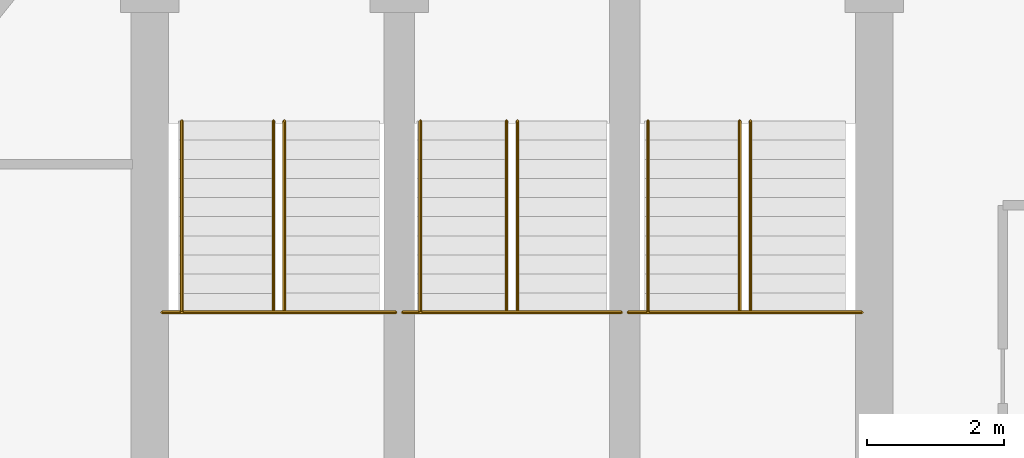
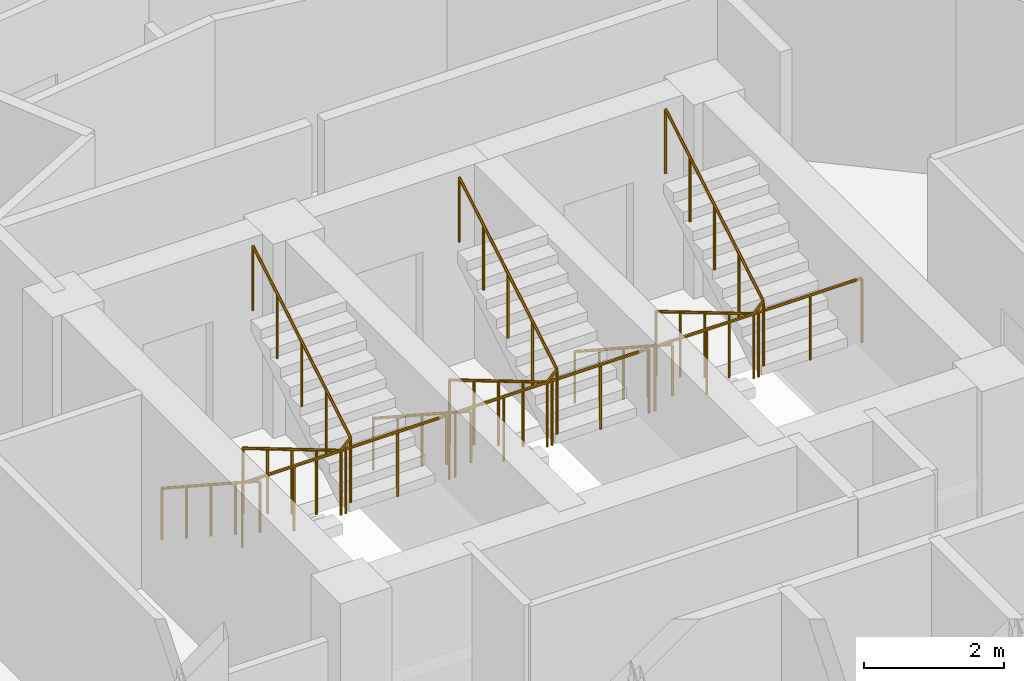
# One storey, part 27 of 27: 9 railings.
"""IFC4 building model written with IfcOpenShell, lengths in metres."""

from ifc_helpers import new_model, si_unit, direction, frame, origin, place, context, subcontext, project, spatial, polyline, outline, extrude, material, type_object, element, save


model = new_model("IFC4")

# Units and contexts
model_context = context("Model", 3, precision=1e-05, world=origin(), true_north=direction((0.0, 1.0)))
body_context = subcontext(model_context, "Body", "Model", "MODEL_VIEW")
ifc_project = project(units=[si_unit("LENGTHUNIT", "METRE"), si_unit("AREAUNIT", "SQUARE_METRE"), si_unit("VOLUMEUNIT", "CUBIC_METRE"), si_unit("PLANEANGLEUNIT", "RADIAN"), si_unit("MASSUNIT", "GRAM", prefix="KILO")], contexts=[model_context])

# Site, building, storey
site_placement = place(None, origin())
site = spatial("IfcSite", under=ifc_project, at=site_placement, CompositionType="ELEMENT")
building_placement = place(site_placement, origin())
building = spatial("IfcBuilding", under=site, at=building_placement, Name="Nuhasar Tower", CompositionType="ELEMENT")
storey_placement = place(building_placement, frame((0.0, 0.0, 251.949951171875)))
storey = spatial("IfcBuildingStorey", under=building, at=storey_placement, Name="L62", CompositionType="ELEMENT", Elevation=251.949951171875)

# Railings
ifc_material_1 = material(Name="Steel S355", Category="steel")
railing_type_1 = type_object("IfcRailingType", Name="RLG-STAIR-GUARD-1150", PredefinedType="GUARDRAIL", material=ifc_material_1)
railing_1_placement = place(storey_placement, frame((33.8798828125, 32.485107421875, 1.824951171875)))
element("IfcRailing", 1, at=railing_1_placement, inside=storey, type_object=railing_type_1, Name="L62 Stair ST-01 Guardrail LND", PredefinedType="GUARDRAIL", context=body_context, shape_type="SweptSolid", body=[
    extrude(outline(polyline([(0.024169921875, 0.0), (0.01708984375, 0.01708984375), (0.0, 0.024169921875), (-0.01708984375, 0.01708984375), (-0.024169921875, 0.0), (-0.01708984375, -0.01708984375), (0.0, -0.024169921875), (0.01708984375, -0.01708984375), (0.024169921875, 0.0)])), frame((0.0, 0.0, 1.1259765625), z_axis=(1.0, 0.0, 0.0), x_axis=(0.0, 1.0, 0.0)), (0.0, 0.0, 1.0), 3.420166015625),
    extrude(outline(polyline([(0.02099609375, 0.0), (0.014892578125, 0.014892578125), (0.0, 0.02099609375), (-0.014892578125, 0.014892578125), (-0.02099609375, 0.0), (-0.014892578125, -0.014892578125), (0.0, -0.02099609375), (0.014892578125, -0.014892578125), (0.02099609375, 0.0)])), origin(), (0.0, 0.0, 1.0), 1.101806640625),
    extrude(outline(polyline([(0.02099609375, 0.0), (0.014892578125, 0.014892578125), (0.0, 0.02099609375), (-0.014892578125, 0.014892578125), (-0.02099609375, 0.0), (-0.014892578125, -0.014892578125), (0.0, -0.02099609375), (0.014892578125, -0.014892578125), (0.02099609375, 0.0)])), frame((0.85498046875, 0.0, 0.0)), (0.0, 0.0, 1.0), 1.101806640625),
    extrude(outline(polyline([(0.02099609375, 0.0), (0.014892578125, 0.014892578125), (0.0, 0.02099609375), (-0.014892578125, 0.014892578125), (-0.02099609375, 0.0), (-0.014892578125, -0.014892578125), (0.0, -0.02099609375), (0.014892578125, -0.014892578125), (0.02099609375, 0.0)])), frame((1.7099609375, 0.0, 0.0)), (0.0, 0.0, 1.0), 1.101806640625),
    extrude(outline(polyline([(0.02099609375, 0.0), (0.014892578125, 0.014892578125), (0.0, 0.02099609375), (-0.014892578125, 0.014892578125), (-0.02099609375, 0.0), (-0.014892578125, -0.014892578125), (0.0, -0.02099609375), (0.014892578125, -0.014892578125), (0.02099609375, 0.0)])), frame((2.565185546875, 0.0, 0.0)), (0.0, 0.0, 1.0), 1.101806640625),
    extrude(outline(polyline([(0.02099609375, 0.0), (0.014892578125, 0.014892578125), (0.0, 0.02099609375), (-0.014892578125, 0.014892578125), (-0.02099609375, 0.0), (-0.014892578125, -0.014892578125), (0.0, -0.02099609375), (0.014892578125, -0.014892578125), (0.02099609375, 0.0)])), frame((3.420166015625, 0.0, 0.0)), (0.0, 0.0, 1.0), 1.101806640625),
])
railing_2_placement = place(storey_placement, frame((35.510009765625, 35.284912109375, 0.166015625)))
element("IfcRailing", 2, at=railing_2_placement, inside=storey, type_object=railing_type_1, Name="L62 Stair ST-01 Guardrail SLT", PredefinedType="GUARDRAIL", context=body_context, shape_type="SweptSolid", body=[
    extrude(outline(polyline([(0.024169921875, 0.0), (0.01708984375, 0.01708984375), (0.0, 0.024169921875), (-0.01708984375, 0.01708984375), (-0.024169921875, 0.0), (-0.01708984375, -0.01708984375), (0.0, -0.024169921875), (0.01708984375, -0.01708984375), (0.024169921875, 0.0)])), frame((0.0, 0.0, 1.1259765625), z_axis=(0.0, -0.860319559791, 0.509755093197), x_axis=(1.0, 0.0, 0.0)), (0.0, 0.0, 1.0), 3.25439453125),
    extrude(outline(polyline([(0.024169921875, 0.0), (0.01708984375, 0.01708984375), (0.0, 0.024169921875), (-0.01708984375, 0.01708984375), (-0.024169921875, 0.0), (-0.01708984375, -0.01708984375), (0.0, -0.024169921875), (0.01708984375, -0.01708984375), (0.024169921875, 0.0)])), frame((0.0, -2.7998046875, 2.78466796875), z_axis=(0.693743449033, 0.0, 0.72022220663), x_axis=(0.0, 1.0, 0.0)), (0.0, 0.0, 1.0), 0.23046875),
    extrude(outline(polyline([(0.024169921875, 0.0), (0.01708984375, 0.01708984375), (0.0, 0.024169921875), (-0.01708984375, 0.01708984375), (-0.024169921875, 0.0), (-0.01708984375, -0.01708984375), (0.0, -0.024169921875), (0.01708984375, -0.01708984375), (0.024169921875, 0.0)])), frame((0.159912109375, -2.7998046875, 2.95068359375), z_axis=(0.0, 0.860286659441, 0.509810615413), x_axis=(-1.0, 0.0, 0.0)), (0.0, 0.0, 1.0), 3.25439453125),
    extrude(outline(polyline([(0.02099609375, 0.0), (0.014892578125, 0.014892578125), (0.0, 0.02099609375), (-0.014892578125, 0.014892578125), (-0.02099609375, 0.0), (-0.014892578125, -0.014892578125), (0.0, -0.02099609375), (0.014892578125, -0.014892578125), (0.02099609375, 0.0)])), origin(), (0.0, 0.0, 1.0), 1.101806640625),
    extrude(outline(polyline([(0.02099609375, 0.0), (0.014892578125, 0.014892578125), (0.0, 0.02099609375), (-0.014892578125, 0.014892578125), (-0.02099609375, 0.0), (-0.014892578125, -0.014892578125), (0.0, -0.02099609375), (0.014892578125, -0.014892578125), (0.02099609375, 0.0)])), frame((0.0, -0.699951171875, 0.414794921875)), (0.0, 0.0, 1.0), 1.101806640625),
    extrude(outline(polyline([(0.02099609375, 0.0), (0.014892578125, 0.014892578125), (0.0, 0.02099609375), (-0.014892578125, 0.014892578125), (-0.02099609375, 0.0), (-0.014892578125, -0.014892578125), (0.0, -0.02099609375), (0.014892578125, -0.014892578125), (0.02099609375, 0.0)])), frame((0.0, -1.39990234375, 0.82958984375)), (0.0, 0.0, 1.0), 1.101806640625),
    extrude(outline(polyline([(0.02099609375, 0.0), (0.014892578125, 0.014892578125), (0.0, 0.02099609375), (-0.014892578125, 0.014892578125), (-0.02099609375, 0.0), (-0.014892578125, -0.014892578125), (0.0, -0.02099609375), (0.014892578125, -0.014892578125), (0.02099609375, 0.0)])), frame((0.0, -2.099853515625, 1.244140625)), (0.0, 0.0, 1.0), 1.101806640625),
    extrude(outline(polyline([(0.02099609375, 0.0), (0.014892578125, 0.014892578125), (0.0, 0.02099609375), (-0.014892578125, 0.014892578125), (-0.02099609375, 0.0), (-0.014892578125, -0.014892578125), (0.0, -0.02099609375), (0.014892578125, -0.014892578125), (0.02099609375, 0.0)])), frame((0.0, -2.7998046875, 1.658935546875)), (0.0, 0.0, 1.0), 1.101806640625),
    extrude(outline(polyline([(0.02099609375, 0.0), (0.014892578125, 0.014892578125), (0.0, 0.02099609375), (-0.014892578125, 0.014892578125), (-0.02099609375, 0.0), (-0.014892578125, -0.014892578125), (0.0, -0.02099609375), (0.014892578125, -0.014892578125), (0.02099609375, 0.0)])), frame((0.159912109375, -2.7998046875, 1.824951171875)), (0.0, 0.0, 1.0), 1.101806640625),
    extrude(outline(polyline([(0.02099609375, 0.0), (0.014892578125, 0.014892578125), (0.0, 0.02099609375), (-0.014892578125, 0.014892578125), (-0.02099609375, 0.0), (-0.014892578125, -0.014892578125), (0.0, -0.02099609375), (0.014892578125, -0.014892578125), (0.02099609375, 0.0)])), frame((0.159912109375, -2.099853515625, 2.23974609375)), (0.0, 0.0, 1.0), 1.101806640625),
    extrude(outline(polyline([(0.02099609375, 0.0), (0.014892578125, 0.014892578125), (0.0, 0.02099609375), (-0.014892578125, 0.014892578125), (-0.02099609375, 0.0), (-0.014892578125, -0.014892578125), (0.0, -0.02099609375), (0.014892578125, -0.014892578125), (0.02099609375, 0.0)])), frame((0.159912109375, -1.39990234375, 2.654541015625)), (0.0, 0.0, 1.0), 1.101806640625),
    extrude(outline(polyline([(0.02099609375, 0.0), (0.014892578125, 0.014892578125), (0.0, 0.02099609375), (-0.014892578125, 0.014892578125), (-0.02099609375, 0.0), (-0.014892578125, -0.014892578125), (0.0, -0.02099609375), (0.014892578125, -0.014892578125), (0.02099609375, 0.0)])), frame((0.159912109375, -0.699951171875, 3.0693359375)), (0.0, 0.0, 1.0), 1.101806640625),
    extrude(outline(polyline([(0.02099609375, 0.0), (0.014892578125, 0.014892578125), (0.0, 0.02099609375), (-0.014892578125, 0.014892578125), (-0.02099609375, 0.0), (-0.014892578125, -0.014892578125), (0.0, -0.02099609375), (0.014892578125, -0.014892578125), (0.02099609375, 0.0)])), frame((0.159912109375, 0.0, 3.484130859375)), (0.0, 0.0, 1.0), 1.101806640625),
])
railing_3_placement = place(storey_placement, frame((37.39990234375, 32.485107421875, 1.824951171875)))
element("IfcRailing", 3, at=railing_3_placement, inside=storey, type_object=railing_type_1, Name="L62 Stair ST-03 Guardrail LND", PredefinedType="GUARDRAIL", context=body_context, shape_type="SweptSolid", body=[
    extrude(outline(polyline([(0.024169921875, 0.0), (0.01708984375, 0.01708984375), (0.0, 0.024169921875), (-0.01708984375, 0.01708984375), (-0.024169921875, 0.0), (-0.01708984375, -0.01708984375), (0.0, -0.024169921875), (0.01708984375, -0.01708984375), (0.024169921875, 0.0)])), frame((0.0, 0.0, 1.1259765625), z_axis=(1.0, 0.0, 0.0), x_axis=(0.0, 1.0, 0.0)), (0.0, 0.0, 1.0), 3.2001953125),
    extrude(outline(polyline([(0.02099609375, 0.0), (0.014892578125, 0.014892578125), (0.0, 0.02099609375), (-0.014892578125, 0.014892578125), (-0.02099609375, 0.0), (-0.014892578125, -0.014892578125), (0.0, -0.02099609375), (0.014892578125, -0.014892578125), (0.02099609375, 0.0)])), origin(), (0.0, 0.0, 1.0), 1.101806640625),
    extrude(outline(polyline([(0.02099609375, 0.0), (0.014892578125, 0.014892578125), (0.0, 0.02099609375), (-0.014892578125, 0.014892578125), (-0.02099609375, 0.0), (-0.014892578125, -0.014892578125), (0.0, -0.02099609375), (0.014892578125, -0.014892578125), (0.02099609375, 0.0)])), frame((0.800048828125, 0.0, 0.0)), (0.0, 0.0, 1.0), 1.101806640625),
    extrude(outline(polyline([(0.02099609375, 0.0), (0.014892578125, 0.014892578125), (0.0, 0.02099609375), (-0.014892578125, 0.014892578125), (-0.02099609375, 0.0), (-0.014892578125, -0.014892578125), (0.0, -0.02099609375), (0.014892578125, -0.014892578125), (0.02099609375, 0.0)])), frame((1.60009765625, 0.0, 0.0)), (0.0, 0.0, 1.0), 1.101806640625),
    extrude(outline(polyline([(0.02099609375, 0.0), (0.014892578125, 0.014892578125), (0.0, 0.02099609375), (-0.014892578125, 0.014892578125), (-0.02099609375, 0.0), (-0.014892578125, -0.014892578125), (0.0, -0.02099609375), (0.014892578125, -0.014892578125), (0.02099609375, 0.0)])), frame((2.400146484375, 0.0, 0.0)), (0.0, 0.0, 1.0), 1.101806640625),
    extrude(outline(polyline([(0.02099609375, 0.0), (0.014892578125, 0.014892578125), (0.0, 0.02099609375), (-0.014892578125, 0.014892578125), (-0.02099609375, 0.0), (-0.014892578125, -0.014892578125), (0.0, -0.02099609375), (0.014892578125, -0.014892578125), (0.02099609375, 0.0)])), frame((3.2001953125, 0.0, 0.0)), (0.0, 0.0, 1.0), 1.101806640625),
])
railing_4_placement = place(storey_placement, frame((38.919921875, 35.284912109375, 0.166015625)))
element("IfcRailing", 4, at=railing_4_placement, inside=storey, type_object=railing_type_1, Name="L62 Stair ST-03 Guardrail SLT", PredefinedType="GUARDRAIL", context=body_context, shape_type="SweptSolid", body=[
    extrude(outline(polyline([(0.024169921875, 0.0), (0.01708984375, 0.01708984375), (0.0, 0.024169921875), (-0.01708984375, 0.01708984375), (-0.024169921875, 0.0), (-0.01708984375, -0.01708984375), (0.0, -0.024169921875), (0.01708984375, -0.01708984375), (0.024169921875, 0.0)])), frame((0.0, 0.0, 1.1259765625), z_axis=(0.0, -0.860319559791, 0.509755093197), x_axis=(1.0, 0.0, 0.0)), (0.0, 0.0, 1.0), 3.25439453125),
    extrude(outline(polyline([(0.024169921875, 0.0), (0.01708984375, 0.01708984375), (0.0, 0.024169921875), (-0.01708984375, 0.01708984375), (-0.024169921875, 0.0), (-0.01708984375, -0.01708984375), (0.0, -0.024169921875), (0.01708984375, -0.01708984375), (0.024169921875, 0.0)])), frame((0.0, -2.7998046875, 2.78466796875), z_axis=(0.694292246407, 0.0, 0.719693182251), x_axis=(0.0, 1.0, 0.0)), (0.0, 0.0, 1.0), 0.230712890625),
    extrude(outline(polyline([(0.024169921875, 0.0), (0.01708984375, 0.01708984375), (0.0, 0.024169921875), (-0.01708984375, 0.01708984375), (-0.024169921875, 0.0), (-0.01708984375, -0.01708984375), (0.0, -0.024169921875), (0.01708984375, -0.01708984375), (0.024169921875, 0.0)])), frame((0.16015625, -2.7998046875, 2.95068359375), z_axis=(0.0, 0.860286659441, 0.509810615413), x_axis=(-1.0, 0.0, 0.0)), (0.0, 0.0, 1.0), 3.25439453125),
    extrude(outline(polyline([(0.02099609375, 0.0), (0.014892578125, 0.014892578125), (0.0, 0.02099609375), (-0.014892578125, 0.014892578125), (-0.02099609375, 0.0), (-0.014892578125, -0.014892578125), (0.0, -0.02099609375), (0.014892578125, -0.014892578125), (0.02099609375, 0.0)])), origin(), (0.0, 0.0, 1.0), 1.101806640625),
    extrude(outline(polyline([(0.02099609375, 0.0), (0.014892578125, 0.014892578125), (0.0, 0.02099609375), (-0.014892578125, 0.014892578125), (-0.02099609375, 0.0), (-0.014892578125, -0.014892578125), (0.0, -0.02099609375), (0.014892578125, -0.014892578125), (0.02099609375, 0.0)])), frame((0.0, -0.699951171875, 0.414794921875)), (0.0, 0.0, 1.0), 1.101806640625),
    extrude(outline(polyline([(0.02099609375, 0.0), (0.014892578125, 0.014892578125), (0.0, 0.02099609375), (-0.014892578125, 0.014892578125), (-0.02099609375, 0.0), (-0.014892578125, -0.014892578125), (0.0, -0.02099609375), (0.014892578125, -0.014892578125), (0.02099609375, 0.0)])), frame((0.0, -1.39990234375, 0.82958984375)), (0.0, 0.0, 1.0), 1.101806640625),
    extrude(outline(polyline([(0.02099609375, 0.0), (0.014892578125, 0.014892578125), (0.0, 0.02099609375), (-0.014892578125, 0.014892578125), (-0.02099609375, 0.0), (-0.014892578125, -0.014892578125), (0.0, -0.02099609375), (0.014892578125, -0.014892578125), (0.02099609375, 0.0)])), frame((0.0, -2.099853515625, 1.244140625)), (0.0, 0.0, 1.0), 1.101806640625),
    extrude(outline(polyline([(0.02099609375, 0.0), (0.014892578125, 0.014892578125), (0.0, 0.02099609375), (-0.014892578125, 0.014892578125), (-0.02099609375, 0.0), (-0.014892578125, -0.014892578125), (0.0, -0.02099609375), (0.014892578125, -0.014892578125), (0.02099609375, 0.0)])), frame((0.0, -2.7998046875, 1.658935546875)), (0.0, 0.0, 1.0), 1.101806640625),
    extrude(outline(polyline([(0.02099609375, 0.0), (0.014892578125, 0.014892578125), (0.0, 0.02099609375), (-0.014892578125, 0.014892578125), (-0.02099609375, 0.0), (-0.014892578125, -0.014892578125), (0.0, -0.02099609375), (0.014892578125, -0.014892578125), (0.02099609375, 0.0)])), frame((0.16015625, -2.7998046875, 1.824951171875)), (0.0, 0.0, 1.0), 1.101806640625),
    extrude(outline(polyline([(0.02099609375, 0.0), (0.014892578125, 0.014892578125), (0.0, 0.02099609375), (-0.014892578125, 0.014892578125), (-0.02099609375, 0.0), (-0.014892578125, -0.014892578125), (0.0, -0.02099609375), (0.014892578125, -0.014892578125), (0.02099609375, 0.0)])), frame((0.16015625, -2.099853515625, 2.23974609375)), (0.0, 0.0, 1.0), 1.101806640625),
    extrude(outline(polyline([(0.02099609375, 0.0), (0.014892578125, 0.014892578125), (0.0, 0.02099609375), (-0.014892578125, 0.014892578125), (-0.02099609375, 0.0), (-0.014892578125, -0.014892578125), (0.0, -0.02099609375), (0.014892578125, -0.014892578125), (0.02099609375, 0.0)])), frame((0.16015625, -1.39990234375, 2.654541015625)), (0.0, 0.0, 1.0), 1.101806640625),
    extrude(outline(polyline([(0.02099609375, 0.0), (0.014892578125, 0.014892578125), (0.0, 0.02099609375), (-0.014892578125, 0.014892578125), (-0.02099609375, 0.0), (-0.014892578125, -0.014892578125), (0.0, -0.02099609375), (0.014892578125, -0.014892578125), (0.02099609375, 0.0)])), frame((0.16015625, -0.699951171875, 3.0693359375)), (0.0, 0.0, 1.0), 1.101806640625),
    extrude(outline(polyline([(0.02099609375, 0.0), (0.014892578125, 0.014892578125), (0.0, 0.02099609375), (-0.014892578125, 0.014892578125), (-0.02099609375, 0.0), (-0.014892578125, -0.014892578125), (0.0, -0.02099609375), (0.014892578125, -0.014892578125), (0.02099609375, 0.0)])), frame((0.16015625, 0.0, 3.484130859375)), (0.0, 0.0, 1.0), 1.101806640625),
])
railing_5_placement = place(storey_placement, frame((40.699951171875, 32.485107421875, 1.824951171875)))
element("IfcRailing", 5, at=railing_5_placement, inside=storey, type_object=railing_type_1, Name="L62 Stair ST-02 Guardrail LND", PredefinedType="GUARDRAIL", context=body_context, shape_type="SweptSolid", body=[
    extrude(outline(polyline([(0.024169921875, 0.0), (0.01708984375, 0.01708984375), (0.0, 0.024169921875), (-0.01708984375, 0.01708984375), (-0.024169921875, 0.0), (-0.01708984375, -0.01708984375), (0.0, -0.024169921875), (0.01708984375, -0.01708984375), (0.024169921875, 0.0)])), frame((0.0, 0.0, 1.1259765625), z_axis=(1.0, 0.0, 0.0), x_axis=(0.0, 1.0, 0.0)), (0.0, 0.0, 1.0), 3.420166015625),
    extrude(outline(polyline([(0.02099609375, 0.0), (0.014892578125, 0.014892578125), (0.0, 0.02099609375), (-0.014892578125, 0.014892578125), (-0.02099609375, 0.0), (-0.014892578125, -0.014892578125), (0.0, -0.02099609375), (0.014892578125, -0.014892578125), (0.02099609375, 0.0)])), origin(), (0.0, 0.0, 1.0), 1.101806640625),
    extrude(outline(polyline([(0.02099609375, 0.0), (0.014892578125, 0.014892578125), (0.0, 0.02099609375), (-0.014892578125, 0.014892578125), (-0.02099609375, 0.0), (-0.014892578125, -0.014892578125), (0.0, -0.02099609375), (0.014892578125, -0.014892578125), (0.02099609375, 0.0)])), frame((0.85498046875, 0.0, 0.0)), (0.0, 0.0, 1.0), 1.101806640625),
    extrude(outline(polyline([(0.02099609375, 0.0), (0.014892578125, 0.014892578125), (0.0, 0.02099609375), (-0.014892578125, 0.014892578125), (-0.02099609375, 0.0), (-0.014892578125, -0.014892578125), (0.0, -0.02099609375), (0.014892578125, -0.014892578125), (0.02099609375, 0.0)])), frame((1.7099609375, 0.0, 0.0)), (0.0, 0.0, 1.0), 1.101806640625),
    extrude(outline(polyline([(0.02099609375, 0.0), (0.014892578125, 0.014892578125), (0.0, 0.02099609375), (-0.014892578125, 0.014892578125), (-0.02099609375, 0.0), (-0.014892578125, -0.014892578125), (0.0, -0.02099609375), (0.014892578125, -0.014892578125), (0.02099609375, 0.0)])), frame((2.565185546875, 0.0, 0.0)), (0.0, 0.0, 1.0), 1.101806640625),
    extrude(outline(polyline([(0.02099609375, 0.0), (0.014892578125, 0.014892578125), (0.0, 0.02099609375), (-0.014892578125, 0.014892578125), (-0.02099609375, 0.0), (-0.014892578125, -0.014892578125), (0.0, -0.02099609375), (0.014892578125, -0.014892578125), (0.02099609375, 0.0)])), frame((3.420166015625, 0.0, 0.0)), (0.0, 0.0, 1.0), 1.101806640625),
])
railing_6_placement = place(storey_placement, frame((42.330078125, 35.284912109375, 0.166015625)))
element("IfcRailing", 6, at=railing_6_placement, inside=storey, type_object=railing_type_1, Name="L62 Stair ST-02 Guardrail SLT", PredefinedType="GUARDRAIL", context=body_context, shape_type="SweptSolid", body=[
    extrude(outline(polyline([(0.024169921875, 0.0), (0.01708984375, 0.01708984375), (0.0, 0.024169921875), (-0.01708984375, 0.01708984375), (-0.024169921875, 0.0), (-0.01708984375, -0.01708984375), (0.0, -0.024169921875), (0.01708984375, -0.01708984375), (0.024169921875, 0.0)])), frame((0.0, 0.0, 1.1259765625), z_axis=(0.0, -0.860319559791, 0.509755093197), x_axis=(1.0, 0.0, 0.0)), (0.0, 0.0, 1.0), 3.25439453125),
    extrude(outline(polyline([(0.024169921875, 0.0), (0.01708984375, 0.01708984375), (0.0, 0.024169921875), (-0.01708984375, 0.01708984375), (-0.024169921875, 0.0), (-0.01708984375, -0.01708984375), (0.0, -0.024169921875), (0.01708984375, -0.01708984375), (0.024169921875, 0.0)])), frame((0.0, -2.7998046875, 2.78466796875), z_axis=(0.693743449033, 0.0, 0.72022220663), x_axis=(0.0, 1.0, 0.0)), (0.0, 0.0, 1.0), 0.23046875),
    extrude(outline(polyline([(0.024169921875, 0.0), (0.01708984375, 0.01708984375), (0.0, 0.024169921875), (-0.01708984375, 0.01708984375), (-0.024169921875, 0.0), (-0.01708984375, -0.01708984375), (0.0, -0.024169921875), (0.01708984375, -0.01708984375), (0.024169921875, 0.0)])), frame((0.159912109375, -2.7998046875, 2.95068359375), z_axis=(0.0, 0.860286659441, 0.509810615413), x_axis=(-1.0, 0.0, 0.0)), (0.0, 0.0, 1.0), 3.25439453125),
    extrude(outline(polyline([(0.02099609375, 0.0), (0.014892578125, 0.014892578125), (0.0, 0.02099609375), (-0.014892578125, 0.014892578125), (-0.02099609375, 0.0), (-0.014892578125, -0.014892578125), (0.0, -0.02099609375), (0.014892578125, -0.014892578125), (0.02099609375, 0.0)])), origin(), (0.0, 0.0, 1.0), 1.101806640625),
    extrude(outline(polyline([(0.02099609375, 0.0), (0.014892578125, 0.014892578125), (0.0, 0.02099609375), (-0.014892578125, 0.014892578125), (-0.02099609375, 0.0), (-0.014892578125, -0.014892578125), (0.0, -0.02099609375), (0.014892578125, -0.014892578125), (0.02099609375, 0.0)])), frame((0.0, -0.699951171875, 0.414794921875)), (0.0, 0.0, 1.0), 1.101806640625),
    extrude(outline(polyline([(0.02099609375, 0.0), (0.014892578125, 0.014892578125), (0.0, 0.02099609375), (-0.014892578125, 0.014892578125), (-0.02099609375, 0.0), (-0.014892578125, -0.014892578125), (0.0, -0.02099609375), (0.014892578125, -0.014892578125), (0.02099609375, 0.0)])), frame((0.0, -1.39990234375, 0.82958984375)), (0.0, 0.0, 1.0), 1.101806640625),
    extrude(outline(polyline([(0.02099609375, 0.0), (0.014892578125, 0.014892578125), (0.0, 0.02099609375), (-0.014892578125, 0.014892578125), (-0.02099609375, 0.0), (-0.014892578125, -0.014892578125), (0.0, -0.02099609375), (0.014892578125, -0.014892578125), (0.02099609375, 0.0)])), frame((0.0, -2.099853515625, 1.244140625)), (0.0, 0.0, 1.0), 1.101806640625),
    extrude(outline(polyline([(0.02099609375, 0.0), (0.014892578125, 0.014892578125), (0.0, 0.02099609375), (-0.014892578125, 0.014892578125), (-0.02099609375, 0.0), (-0.014892578125, -0.014892578125), (0.0, -0.02099609375), (0.014892578125, -0.014892578125), (0.02099609375, 0.0)])), frame((0.0, -2.7998046875, 1.658935546875)), (0.0, 0.0, 1.0), 1.101806640625),
    extrude(outline(polyline([(0.02099609375, 0.0), (0.014892578125, 0.014892578125), (0.0, 0.02099609375), (-0.014892578125, 0.014892578125), (-0.02099609375, 0.0), (-0.014892578125, -0.014892578125), (0.0, -0.02099609375), (0.014892578125, -0.014892578125), (0.02099609375, 0.0)])), frame((0.159912109375, -2.7998046875, 1.824951171875)), (0.0, 0.0, 1.0), 1.101806640625),
    extrude(outline(polyline([(0.02099609375, 0.0), (0.014892578125, 0.014892578125), (0.0, 0.02099609375), (-0.014892578125, 0.014892578125), (-0.02099609375, 0.0), (-0.014892578125, -0.014892578125), (0.0, -0.02099609375), (0.014892578125, -0.014892578125), (0.02099609375, 0.0)])), frame((0.159912109375, -2.099853515625, 2.23974609375)), (0.0, 0.0, 1.0), 1.101806640625),
    extrude(outline(polyline([(0.02099609375, 0.0), (0.014892578125, 0.014892578125), (0.0, 0.02099609375), (-0.014892578125, 0.014892578125), (-0.02099609375, 0.0), (-0.014892578125, -0.014892578125), (0.0, -0.02099609375), (0.014892578125, -0.014892578125), (0.02099609375, 0.0)])), frame((0.159912109375, -1.39990234375, 2.654541015625)), (0.0, 0.0, 1.0), 1.101806640625),
    extrude(outline(polyline([(0.02099609375, 0.0), (0.014892578125, 0.014892578125), (0.0, 0.02099609375), (-0.014892578125, 0.014892578125), (-0.02099609375, 0.0), (-0.014892578125, -0.014892578125), (0.0, -0.02099609375), (0.014892578125, -0.014892578125), (0.02099609375, 0.0)])), frame((0.159912109375, -0.699951171875, 3.0693359375)), (0.0, 0.0, 1.0), 1.101806640625),
    extrude(outline(polyline([(0.02099609375, 0.0), (0.014892578125, 0.014892578125), (0.0, 0.02099609375), (-0.014892578125, 0.014892578125), (-0.02099609375, 0.0), (-0.014892578125, -0.014892578125), (0.0, -0.02099609375), (0.014892578125, -0.014892578125), (0.02099609375, 0.0)])), frame((0.159912109375, 0.0, 3.484130859375)), (0.0, 0.0, 1.0), 1.101806640625),
])
ifc_material_2 = material(Name="Stainless Steel 316L", Category="steel")
railing_type_2 = type_object("IfcRailingType", Name="RLG-STAIR-HAND-920", PredefinedType="HANDRAIL", material=ifc_material_2)
railing_7_placement = place(storey_placement, frame((34.169921875, 35.284912109375, 0.166015625)))
element("IfcRailing", 7, at=railing_7_placement, inside=storey, type_object=railing_type_2, Name="L62 Stair ST-01 Handrail HND1", PredefinedType="HANDRAIL", context=body_context, shape_type="SweptSolid", body=[
    extrude(outline(polyline([(0.024169921875, 0.0), (0.01708984375, 0.01708984375), (0.0, 0.024169921875), (-0.01708984375, 0.01708984375), (-0.024169921875, 0.0), (-0.01708984375, -0.01708984375), (0.0, -0.024169921875), (0.01708984375, -0.01708984375), (0.024169921875, 0.0)])), frame((0.0, 0.0, 0.89599609375), z_axis=(0.0, -0.837748630625, 0.546056070276), x_axis=(1.0, 0.0, 0.0)), (0.0, 0.0, 1.0), 3.342041015625),
    extrude(outline(polyline([(0.02099609375, 0.0), (0.014892578125, 0.014892578125), (0.0, 0.02099609375), (-0.014892578125, 0.014892578125), (-0.02099609375, 0.0), (-0.014892578125, -0.014892578125), (0.0, -0.02099609375), (0.014892578125, -0.014892578125), (0.02099609375, 0.0)])), origin(), (0.0, 0.0, 1.0), 0.871826171875),
    extrude(outline(polyline([(0.02099609375, 0.0), (0.014892578125, 0.014892578125), (0.0, 0.02099609375), (-0.014892578125, 0.014892578125), (-0.02099609375, 0.0), (-0.014892578125, -0.014892578125), (0.0, -0.02099609375), (0.014892578125, -0.014892578125), (0.02099609375, 0.0)])), frame((0.0, -0.699951171875, 0.456298828125)), (0.0, 0.0, 1.0), 0.871826171875),
    extrude(outline(polyline([(0.02099609375, 0.0), (0.014892578125, 0.014892578125), (0.0, 0.02099609375), (-0.014892578125, 0.014892578125), (-0.02099609375, 0.0), (-0.014892578125, -0.014892578125), (0.0, -0.02099609375), (0.014892578125, -0.014892578125), (0.02099609375, 0.0)])), frame((0.0, -1.39990234375, 0.91259765625)), (0.0, 0.0, 1.0), 0.871826171875),
    extrude(outline(polyline([(0.02099609375, 0.0), (0.014892578125, 0.014892578125), (0.0, 0.02099609375), (-0.014892578125, 0.014892578125), (-0.02099609375, 0.0), (-0.014892578125, -0.014892578125), (0.0, -0.02099609375), (0.014892578125, -0.014892578125), (0.02099609375, 0.0)])), frame((0.0, -2.099853515625, 1.36865234375)), (0.0, 0.0, 1.0), 0.871826171875),
    extrude(outline(polyline([(0.02099609375, 0.0), (0.014892578125, 0.014892578125), (0.0, 0.02099609375), (-0.014892578125, 0.014892578125), (-0.02099609375, 0.0), (-0.014892578125, -0.014892578125), (0.0, -0.02099609375), (0.014892578125, -0.014892578125), (0.02099609375, 0.0)])), frame((0.0, -2.7998046875, 1.824951171875)), (0.0, 0.0, 1.0), 0.871826171875),
])
railing_8_placement = place(storey_placement, frame((37.659912109375, 35.284912109375, 0.166015625)))
element("IfcRailing", 8, at=railing_8_placement, inside=storey, type_object=railing_type_2, Name="L62 Stair ST-03 Handrail HND1", PredefinedType="HANDRAIL", context=body_context, shape_type="SweptSolid", body=[
    extrude(outline(polyline([(0.024169921875, 0.0), (0.01708984375, 0.01708984375), (0.0, 0.024169921875), (-0.01708984375, 0.01708984375), (-0.024169921875, 0.0), (-0.01708984375, -0.01708984375), (0.0, -0.024169921875), (0.01708984375, -0.01708984375), (0.024169921875, 0.0)])), frame((0.0, 0.0, 0.89599609375), z_axis=(0.0, -0.837748630625, 0.546056070276), x_axis=(1.0, 0.0, 0.0)), (0.0, 0.0, 1.0), 3.342041015625),
    extrude(outline(polyline([(0.02099609375, 0.0), (0.014892578125, 0.014892578125), (0.0, 0.02099609375), (-0.014892578125, 0.014892578125), (-0.02099609375, 0.0), (-0.014892578125, -0.014892578125), (0.0, -0.02099609375), (0.014892578125, -0.014892578125), (0.02099609375, 0.0)])), origin(), (0.0, 0.0, 1.0), 0.871826171875),
    extrude(outline(polyline([(0.02099609375, 0.0), (0.014892578125, 0.014892578125), (0.0, 0.02099609375), (-0.014892578125, 0.014892578125), (-0.02099609375, 0.0), (-0.014892578125, -0.014892578125), (0.0, -0.02099609375), (0.014892578125, -0.014892578125), (0.02099609375, 0.0)])), frame((0.0, -0.699951171875, 0.456298828125)), (0.0, 0.0, 1.0), 0.871826171875),
    extrude(outline(polyline([(0.02099609375, 0.0), (0.014892578125, 0.014892578125), (0.0, 0.02099609375), (-0.014892578125, 0.014892578125), (-0.02099609375, 0.0), (-0.014892578125, -0.014892578125), (0.0, -0.02099609375), (0.014892578125, -0.014892578125), (0.02099609375, 0.0)])), frame((0.0, -1.39990234375, 0.91259765625)), (0.0, 0.0, 1.0), 0.871826171875),
    extrude(outline(polyline([(0.02099609375, 0.0), (0.014892578125, 0.014892578125), (0.0, 0.02099609375), (-0.014892578125, 0.014892578125), (-0.02099609375, 0.0), (-0.014892578125, -0.014892578125), (0.0, -0.02099609375), (0.014892578125, -0.014892578125), (0.02099609375, 0.0)])), frame((0.0, -2.099853515625, 1.36865234375)), (0.0, 0.0, 1.0), 0.871826171875),
    extrude(outline(polyline([(0.02099609375, 0.0), (0.014892578125, 0.014892578125), (0.0, 0.02099609375), (-0.014892578125, 0.014892578125), (-0.02099609375, 0.0), (-0.014892578125, -0.014892578125), (0.0, -0.02099609375), (0.014892578125, -0.014892578125), (0.02099609375, 0.0)])), frame((0.0, -2.7998046875, 1.824951171875)), (0.0, 0.0, 1.0), 0.871826171875),
])
railing_9_placement = place(storey_placement, frame((40.989990234375, 35.284912109375, 0.166015625)))
element("IfcRailing", 9, at=railing_9_placement, inside=storey, type_object=railing_type_2, Name="L62 Stair ST-02 Handrail HND1", PredefinedType="HANDRAIL", context=body_context, shape_type="SweptSolid", body=[
    extrude(outline(polyline([(0.024169921875, 0.0), (0.01708984375, 0.01708984375), (0.0, 0.024169921875), (-0.01708984375, 0.01708984375), (-0.024169921875, 0.0), (-0.01708984375, -0.01708984375), (0.0, -0.024169921875), (0.01708984375, -0.01708984375), (0.024169921875, 0.0)])), frame((0.0, 0.0, 0.89599609375), z_axis=(0.0, -0.837748630625, 0.546056070276), x_axis=(1.0, 0.0, 0.0)), (0.0, 0.0, 1.0), 3.342041015625),
    extrude(outline(polyline([(0.02099609375, 0.0), (0.014892578125, 0.014892578125), (0.0, 0.02099609375), (-0.014892578125, 0.014892578125), (-0.02099609375, 0.0), (-0.014892578125, -0.014892578125), (0.0, -0.02099609375), (0.014892578125, -0.014892578125), (0.02099609375, 0.0)])), origin(), (0.0, 0.0, 1.0), 0.871826171875),
    extrude(outline(polyline([(0.02099609375, 0.0), (0.014892578125, 0.014892578125), (0.0, 0.02099609375), (-0.014892578125, 0.014892578125), (-0.02099609375, 0.0), (-0.014892578125, -0.014892578125), (0.0, -0.02099609375), (0.014892578125, -0.014892578125), (0.02099609375, 0.0)])), frame((0.0, -0.699951171875, 0.456298828125)), (0.0, 0.0, 1.0), 0.871826171875),
    extrude(outline(polyline([(0.02099609375, 0.0), (0.014892578125, 0.014892578125), (0.0, 0.02099609375), (-0.014892578125, 0.014892578125), (-0.02099609375, 0.0), (-0.014892578125, -0.014892578125), (0.0, -0.02099609375), (0.014892578125, -0.014892578125), (0.02099609375, 0.0)])), frame((0.0, -1.39990234375, 0.91259765625)), (0.0, 0.0, 1.0), 0.871826171875),
    extrude(outline(polyline([(0.02099609375, 0.0), (0.014892578125, 0.014892578125), (0.0, 0.02099609375), (-0.014892578125, 0.014892578125), (-0.02099609375, 0.0), (-0.014892578125, -0.014892578125), (0.0, -0.02099609375), (0.014892578125, -0.014892578125), (0.02099609375, 0.0)])), frame((0.0, -2.099853515625, 1.36865234375)), (0.0, 0.0, 1.0), 0.871826171875),
    extrude(outline(polyline([(0.02099609375, 0.0), (0.014892578125, 0.014892578125), (0.0, 0.02099609375), (-0.014892578125, 0.014892578125), (-0.02099609375, 0.0), (-0.014892578125, -0.014892578125), (0.0, -0.02099609375), (0.014892578125, -0.014892578125), (0.02099609375, 0.0)])), frame((0.0, -2.7998046875, 1.824951171875)), (0.0, 0.0, 1.0), 0.871826171875),
])

save(model, "model.ifc")
